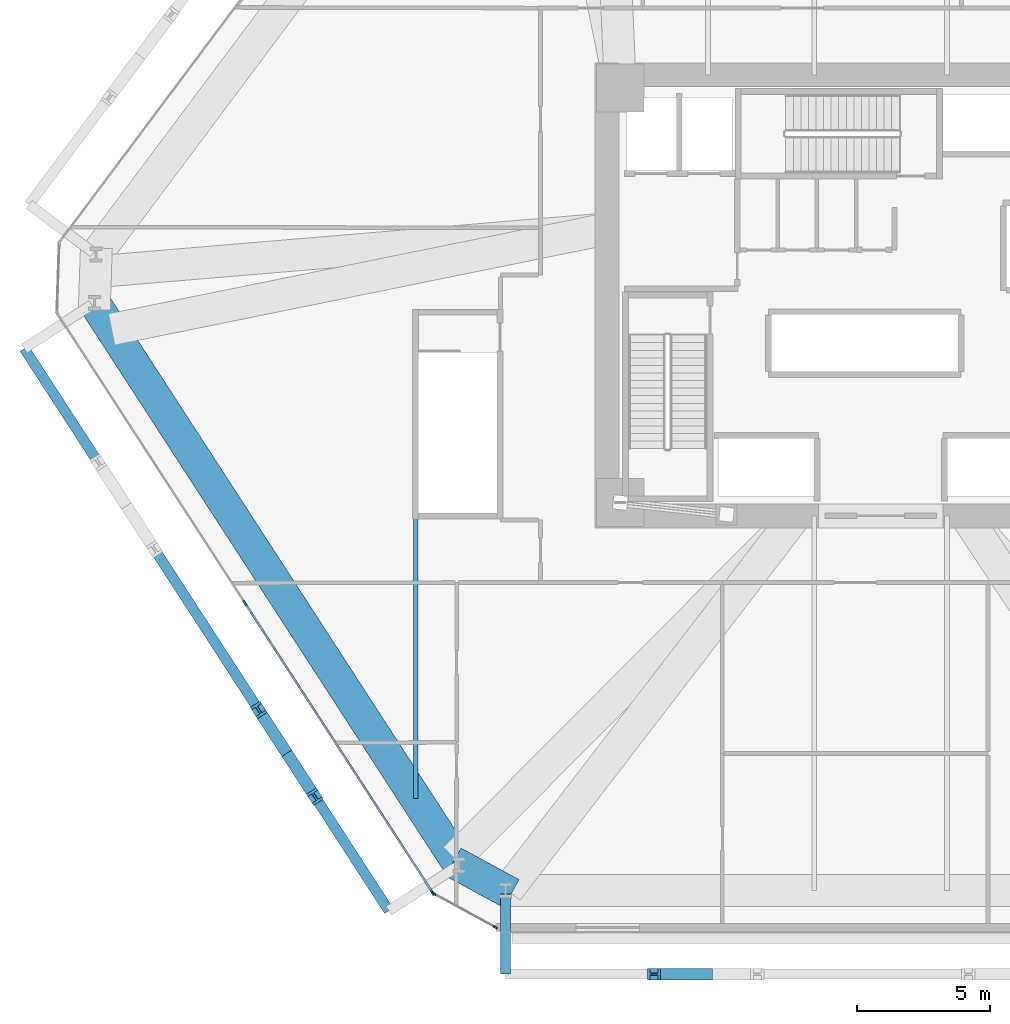
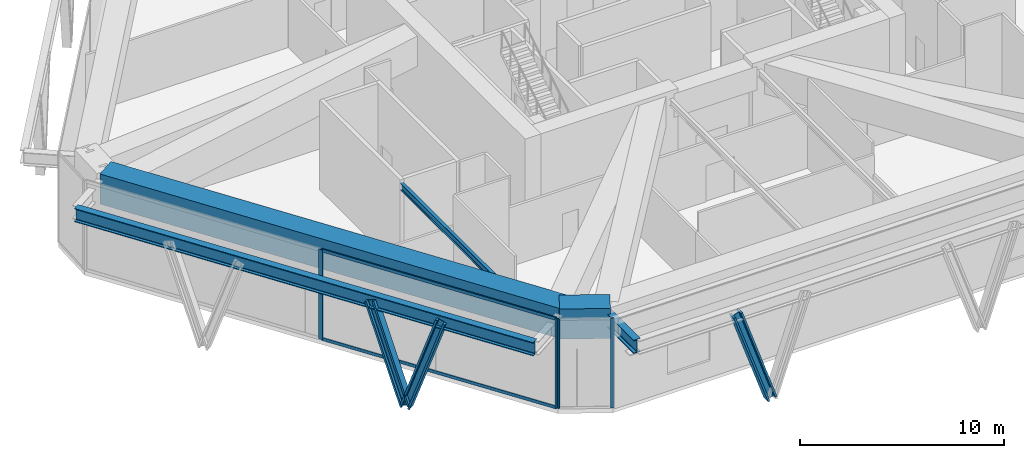
# One storey, part 2 of 19: 9 members, 5 beams, 2 elements without a shape of their own.
"""IFC4 building model written with IfcOpenShell, lengths in metres."""

from ifc_helpers import new_model, si_unit, direction, frame, origin, origin_2d, place, context, subcontext, project, spatial, rectangle, i_section, extrude, source, transform, mapped, material, layer, layer_set, material_profile, profile_set, type_object, type_shapes, element, aggregate, save


model = new_model("IFC4")

# Units and contexts
model_context = context("Model", 3, precision=1e-05, world=origin(), true_north=direction((0.0, 1.0)))
body_context = subcontext(model_context, "Body", "Model", "MODEL_VIEW")
ifc_project = project(units=[si_unit("LENGTHUNIT", "METRE"), si_unit("AREAUNIT", "SQUARE_METRE"), si_unit("VOLUMEUNIT", "CUBIC_METRE"), si_unit("PLANEANGLEUNIT", "RADIAN"), si_unit("MASSUNIT", "GRAM", prefix="KILO")], contexts=[model_context])

# Site, building, storey
site_placement = place(None, origin())
site = spatial("IfcSite", under=ifc_project, at=site_placement, CompositionType="ELEMENT")
building_placement = place(site_placement, origin())
building = spatial("IfcBuilding", under=site, at=building_placement, Name="Durnholm Broadcast Tower", CompositionType="ELEMENT")
storey_placement = place(building_placement, frame((0.0, 0.0, 26.800048828125)))
storey = spatial("IfcBuildingStorey", under=building, at=storey_placement, Name="L05", CompositionType="ELEMENT", Elevation=26.800048828125)

# Beams
ifc_material_1 = material(Name="Steel ASTM A992 Grade 50", Category="steel")
ifc_material_profile_1 = material_profile(ifc_material_1, i_section(OverallWidth=0.180908203125, OverallDepth=0.417236328125, WebThickness=0.010986328125, FlangeThickness=0.018310546875, FilletRadius=0.01904296875, at=origin_2d()), Name="W16X57")
ifc_profile_set_1 = profile_set([ifc_material_profile_1], Name="Steel ASTM A992 Grade 50")
beam_type_1 = type_object("IfcBeamType", Name="STL-BJ-W16X57", PredefinedType="JOIST", material=ifc_profile_set_1)
shared_shape_1 = source(origin(), body_context, "Body", "SweptSolid", [
    extrude(i_section(OverallWidth=0.180908203125, OverallDepth=0.417236328125, WebThickness=0.010986328125, FlangeThickness=0.018310546875, FilletRadius=0.01904296875, at=origin_2d()), origin(), (0.0, 0.0, 1.0), 10.581787109375),
])
type_shapes(beam_type_1, [shared_shape_1])
beam_1_placement = place(storey_placement, frame((-17.5, -18.931884765625, 4.93115234375), z_axis=(0.0, 1.0, 0.0), x_axis=(-1.0, 0.0, 0.0)))
element("IfcBeam", 1, at=beam_1_placement, inside=storey, type_object=beam_type_1, Name="L05 secondary floor joist 2.1", PredefinedType="JOIST", context=body_context, shape_type="MappedRepresentation", body=[
    mapped(shared_shape_1, transform((0.0, 0.0, 0.0), x_axis=(1.0, 0.0, 0.0), y_axis=(0.0, 1.0, 0.0), z_axis=(0.0, 0.0, 1.0), scale=1.0)),
])
ifc_material_profile_2 = material_profile(ifc_material_1, i_section(OverallWidth=0.385009765625, OverallDepth=0.802978515625, WebThickness=0.023681640625, FlangeThickness=0.0419921875, FilletRadius=0.032958984375, at=origin_2d()), Name="W30X261")
ifc_profile_set_2 = profile_set([ifc_material_profile_2], Name="Steel ASTM A992 Grade 50")
beam_type_2 = type_object("IfcBeamType", Name="BM-EXO-TIE", PredefinedType="USERDEFINED", material=ifc_profile_set_2)
shared_shape_2 = source(origin(), body_context, "Body", "SweptSolid", [
    extrude(i_section(OverallWidth=0.385009765625, OverallDepth=0.802978515625, WebThickness=0.023681640625, FlangeThickness=0.0419921875, FilletRadius=0.032958984375, at=origin_2d()), origin(), (0.0, 0.0, 1.0), 3.024169921875),
])
beam_2_placement = place(storey_placement, frame((-14.119384765625, -22.52587890625, 4.6083984375), z_axis=(0.0, -1.0, 0.0), x_axis=(1.0, 0.0, 0.0)))
element("IfcBeam", 2, at=beam_2_placement, inside=storey, type_object=beam_type_2, Name="L05 exoskeleton stand-off tie bracket F1.1", ObjectType="GIRDER", PredefinedType="USERDEFINED", context=body_context, shape_type="MappedRepresentation", body=[
    mapped(shared_shape_2, transform((0.0, 0.0, 0.0), x_axis=(1.0, 0.0, 0.0), y_axis=(0.0, 1.0, 0.0), z_axis=(0.0, 0.0, 1.0), scale=1.0)),
])
shared_shape_3 = source(origin(), body_context, "Body", "SweptSolid", [
    extrude(i_section(OverallWidth=0.385009765625, OverallDepth=0.802978515625, WebThickness=0.023681640625, FlangeThickness=0.0419921875, FilletRadius=0.032958984375, at=origin_2d()), origin(), (0.0, 0.0, 1.0), 25.222412109375),
])
type_shapes(beam_type_2, [shared_shape_2, shared_shape_3])
beam_3_placement = place(storey_placement, frame((-32.2333984375, -2.002685546875, 4.6083984375), z_axis=(0.544114686912, -0.839010850637, 0.0), x_axis=(0.839010850637, 0.544114686912, 0.0)))
element("IfcBeam", 3, at=beam_3_placement, inside=storey, type_object=beam_type_2, Name="L05 exoskeleton collector spandrel F6", PredefinedType="SPANDREL", context=body_context, shape_type="MappedRepresentation", body=[
    mapped(shared_shape_3, transform((0.0, 0.0, 0.0), x_axis=(1.0, 0.0, 0.0), y_axis=(0.0, 1.0, 0.0), z_axis=(0.0, 0.0, 1.0), scale=1.0)),
])
ifc_material_2 = material(Name="Concrete C70/85", Category="concrete")
ifc_material_profile_3 = material_profile(ifc_material_2, rectangle(XDim=1.199951171875, YDim=1.800048828125, at=origin_2d()), Name="RC1200X1800")
ifc_profile_set_3 = profile_set([ifc_material_profile_3], Name="Concrete C70/85")
beam_type_3 = type_object("IfcBeamType", Name="BM-TG-RC1800", PredefinedType="USERDEFINED", material=ifc_profile_set_3)
shared_shape_4 = source(origin(), body_context, "Body", "SweptSolid", [
    extrude(rectangle(XDim=1.199951171875, YDim=1.800048828125, at=origin_2d()), origin(), (0.0, 0.0, 1.0), 25.22265625),
])
beam_4_placement = place(storey_placement, frame((-15.866455078125, -21.45068359375, 4.4599609375), z_axis=(-0.544117081794, 0.839009297505, 0.0), x_axis=(-0.839009297505, -0.544117081794, 0.0)))
element("IfcBeam", 4, at=beam_4_placement, inside=storey, type_object=beam_type_3, Name="L05 perimeter transfer spandrel girder 01", PredefinedType="SPANDREL", context=body_context, shape_type="MappedRepresentation", body=[
    mapped(shared_shape_4, transform((0.0, 0.0, 0.0), x_axis=(1.0, 0.0, 0.0), y_axis=(0.0, 1.0, 0.0), z_axis=(0.0, 0.0, 1.0), scale=1.0)),
])
shared_shape_5 = source(origin(), body_context, "Body", "SweptSolid", [
    extrude(rectangle(XDim=1.199951171875, YDim=1.800048828125, at=origin_2d()), origin(), (0.0, 0.0, 1.0), 2.488525390625),
])
type_shapes(beam_type_3, [shared_shape_4, shared_shape_5])
beam_5_placement = place(storey_placement, frame((-13.899658203125, -22.519287109375, 4.4599609375), z_axis=(-0.878681773424, 0.477407939871, 0.0), x_axis=(-0.477407939871, -0.878681773424, 0.0)))
element("IfcBeam", 5, at=beam_5_placement, inside=storey, type_object=beam_type_3, Name="L05 perimeter transfer spandrel girder 12", PredefinedType="SPANDREL", context=body_context, shape_type="MappedRepresentation", body=[
    mapped(shared_shape_5, transform((0.0, 0.0, 0.0), x_axis=(1.0, 0.0, 0.0), y_axis=(0.0, 1.0, 0.0), z_axis=(0.0, 0.0, 1.0), scale=1.0)),
])

# Members
ifc_material_3 = material(Name="Steel ASTM A913 Grade 65", Category="steel")
ifc_material_profile_4 = material_profile(ifc_material_3, i_section(OverallWidth=0.44189453125, OverallDepth=0.531494140625, WebThickness=0.06591796875, FlangeThickness=0.105712890625, FilletRadius=0.030517578125, at=origin_2d()), Name="W14X605")
ifc_profile_set_4 = profile_set([ifc_material_profile_4], Name="Steel ASTM A913 Grade 65")
member_type_1 = type_object("IfcMemberType", Name="STL-DG-W14X605", PredefinedType="BRACE", material=ifc_profile_set_4)
shared_shape_6 = source(origin(), body_context, "Body", "SweptSolid", [
    extrude(i_section(OverallWidth=0.44189453125, OverallDepth=0.531494140625, WebThickness=0.06591796875, FlangeThickness=0.105712890625, FilletRadius=0.030517578125, at=origin_2d()), origin(), (0.0, 0.0, 1.0), 6.00341796875),
])
type_shapes(member_type_1, [shared_shape_6])
for number, where, z_axis, x_axis, name in (
    (6, (-6.58984375, -25.550048828125, -1.071533203125), (-0.323830425483, 0.0, 0.946115138623), (0.0, -1.0, 0.0), "L05 stand-off diagrid brace F1.D1.1"),
    (7, (-22.35205078125, -17.2392578125, -1.071533203125), (-0.176207490012, 0.271732852125, 0.946103682235), (-0.839034101522, -0.544078832968, 0.0), "L05 stand-off diagrid brace F6.D2.1"),
    (8, (-22.35205078125, -17.2392578125, -1.071533203125), (0.176209437061, -0.271695187862, 0.946114136446), (0.838996925284, 0.544136158847, 0.0), "L05 stand-off diagrid brace F6.D2.2"),
):
    element("IfcMember", number, at=place(storey_placement, frame(where, z_axis=z_axis, x_axis=x_axis)), inside=storey, type_object=member_type_1, Name=name, PredefinedType="BRACE", context=body_context, shape_type="MappedRepresentation", body=[
        mapped(shared_shape_6, transform((0.0, 0.0, 0.0), x_axis=(1.0, 0.0, 0.0), y_axis=(0.0, 1.0, 0.0), z_axis=(0.0, 0.0, 1.0), scale=1.0)),
    ])

# Curtain wall, members
ifc_material_4 = material(Name="Aluminium and Solar Control IGU", Category="aluminium")
ifc_layer_1 = layer(ifc_material_4, 0.219970703125)
ifc_layer_set_1 = layer_set([ifc_layer_1], Name="Aluminium and Solar Control IGU")
curtain_wall_type_1 = type_object("IfcCurtainWallType", Name="CW-SYS-2", PredefinedType="NOTDEFINED", material=ifc_layer_set_1)
curtain_wall_1_placement = place(storey_placement, origin())
curtain_wall_1 = element("IfcCurtainWall", 9, at=curtain_wall_1_placement, inside=storey, type_object=curtain_wall_type_1, Name="L05 curtain wall CW-STUDIO CW-L05-F12", PredefinedType="NOTDEFINED")
ifc_material_5 = material(Name="Aluminium 6063-T6", Category="aluminium")
ifc_material_profile_5 = material_profile(ifc_material_5, rectangle(XDim=0.074951171875, YDim=0.179931640625, at=origin_2d()), Name="CWT75X180")
ifc_profile_set_5 = profile_set([ifc_material_profile_5], Name="Aluminium 6063-T6")
member_type_2 = type_object("IfcMemberType", Name="CW-SYS-2-TRN", PredefinedType="USERDEFINED", material=ifc_profile_set_5)
shared_shape_7 = source(origin(), body_context, "Body", "SweptSolid", [
    extrude(rectangle(XDim=0.074951171875, YDim=0.179931640625, at=origin_2d()), origin(), (0.0, 0.0, 1.0), 12.896728515625),
])
type_shapes(member_type_2, [shared_shape_7])
member_1_placement = place(storey_placement, frame((-16.888427734375, -22.447998046875, 0.037353515625), z_axis=(-0.544101072489, 0.839019679695, 0.0), x_axis=(-0.839019679695, -0.544101072489, 0.0)))
member_1 = element("IfcMember", 10, at=member_1_placement, type_object=member_type_2, Name="CW-STUDIO transom 1.1", ObjectType="TRANSOM", PredefinedType="USERDEFINED", context=body_context, shape_type="MappedRepresentation", body=[
    mapped(shared_shape_7, transform((0.0, 0.0, 0.0), x_axis=(1.0, 0.0, 0.0), y_axis=(0.0, 1.0, 0.0), z_axis=(0.0, 0.0, 1.0), scale=1.0)),
])
member_2_placement = place(storey_placement, frame((-16.888427734375, -22.447998046875, 5.322509765625), z_axis=(-0.544101072489, 0.839019679695, 0.0), x_axis=(-0.839019679695, -0.544101072489, 0.0)))
member_2 = element("IfcMember", 11, at=member_2_placement, type_object=member_type_2, Name="CW-STUDIO transom 1.2", ObjectType="TRANSOM", PredefinedType="USERDEFINED", context=body_context, shape_type="MappedRepresentation", body=[
    mapped(shared_shape_7, transform((0.0, 0.0, 0.0), x_axis=(1.0, 0.0, 0.0), y_axis=(0.0, 1.0, 0.0), z_axis=(0.0, 0.0, 1.0), scale=1.0)),
])

ifc_layer_2 = layer(ifc_material_4, 0.1650390625)
ifc_layer_set_2 = layer_set([ifc_layer_2], Name="Aluminium and Solar Control IGU")
curtain_wall_type_2 = type_object("IfcCurtainWallType", Name="CW-SYS-5", PredefinedType="NOTDEFINED", material=ifc_layer_set_2)
curtain_wall_2_placement = place(storey_placement, origin())
curtain_wall_2 = element("IfcCurtainWall", 12, at=curtain_wall_2_placement, inside=storey, type_object=curtain_wall_type_2, Name="L05 curtain wall CW-CORNER CW-L05-CRN-11", PredefinedType="NOTDEFINED")
ifc_material_profile_6 = material_profile(ifc_material_5, rectangle(XDim=0.06494140625, YDim=0.1650390625, at=origin_2d()), Name="CWM65X165")
ifc_profile_set_6 = profile_set([ifc_material_profile_6], Name="Aluminium 6063-T6")
member_type_3 = type_object("IfcMemberType", Name="CW-SYS-5-MUL", PredefinedType="MULLION", material=ifc_profile_set_6)
shared_shape_8 = source(origin(), body_context, "Body", "SweptSolid", [
    extrude(rectangle(XDim=0.06494140625, YDim=0.1650390625, at=origin_2d()), origin(), (0.0, 0.0, 1.0), 5.35986328125),
])
type_shapes(member_type_3, [shared_shape_8])
member_3_placement = place(storey_placement, frame((-14.503662109375, -23.784423828125, 0.0), z_axis=(0.0, 0.0, 1.0), x_axis=(-0.477442460995, -0.878663016429, 0.0)))
member_3 = element("IfcMember", 13, at=member_3_placement, type_object=member_type_3, Name="CW-CORNER mullion 1", PredefinedType="MULLION", context=body_context, shape_type="MappedRepresentation", body=[
    mapped(shared_shape_8, transform((0.0, 0.0, 0.0), x_axis=(1.0, 0.0, 0.0), y_axis=(0.0, 1.0, 0.0), z_axis=(0.0, 0.0, 1.0), scale=1.0)),
])
member_4_placement = place(storey_placement, frame((-16.81884765625, -22.5263671875, 0.0), z_axis=(0.0, 0.0, 1.0), x_axis=(-0.477442460995, -0.878663016429, 0.0)))
member_4 = element("IfcMember", 14, at=member_4_placement, type_object=member_type_3, Name="CW-CORNER mullion 2", PredefinedType="MULLION", context=body_context, shape_type="MappedRepresentation", body=[
    mapped(shared_shape_8, transform((0.0, 0.0, 0.0), x_axis=(1.0, 0.0, 0.0), y_axis=(0.0, 1.0, 0.0), z_axis=(0.0, 0.0, 1.0), scale=1.0)),
])
aggregate(curtain_wall_2, [member_3, member_4])

# Member
ifc_material_profile_7 = material_profile(ifc_material_5, rectangle(XDim=0.074951171875, YDim=0.219970703125, at=origin_2d()), Name="CWM75X220")
ifc_profile_set_7 = profile_set([ifc_material_profile_7], Name="Aluminium 6063-T6")
member_type_4 = type_object("IfcMemberType", Name="CW-SYS-2-MUL", PredefinedType="MULLION", material=ifc_profile_set_7)
shared_shape_9 = source(origin(), body_context, "Body", "SweptSolid", [
    extrude(rectangle(XDim=0.074951171875, YDim=0.219970703125, at=origin_2d()), origin(), (0.0, 0.0, 1.0), 5.35986328125),
])
type_shapes(member_type_4, [shared_shape_9])
member_5_placement = place(storey_placement, frame((-16.867919921875, -22.4794921875, 0.0), z_axis=(0.0, 0.0, 1.0), x_axis=(-0.839009373297, -0.544116964926, 0.0)))
member_5 = element("IfcMember", 15, at=member_5_placement, type_object=member_type_4, Name="CW-STUDIO mullion 1", PredefinedType="MULLION", context=body_context, shape_type="MappedRepresentation", body=[
    mapped(shared_shape_9, transform((0.0, 0.0, 0.0), x_axis=(1.0, 0.0, 0.0), y_axis=(0.0, 1.0, 0.0), z_axis=(0.0, 0.0, 1.0), scale=1.0)),
])

member_6_placement = place(storey_placement, frame((-23.926025390625, -11.59619140625, 0.0), z_axis=(0.0, 0.0, 1.0), x_axis=(-0.839009373297, -0.544116964926, 0.0)))
member_6 = element("IfcMember", 16, at=member_6_placement, type_object=member_type_4, Name="CW-STUDIO mullion 2", PredefinedType="MULLION", context=body_context, shape_type="MappedRepresentation", body=[
    mapped(shared_shape_9, transform((0.0, 0.0, 0.0), x_axis=(1.0, 0.0, 0.0), y_axis=(0.0, 1.0, 0.0), z_axis=(0.0, 0.0, 1.0), scale=1.0)),
])

aggregate(curtain_wall_1, [member_5, member_6, member_1, member_2])

save(model, "model.ifc")
